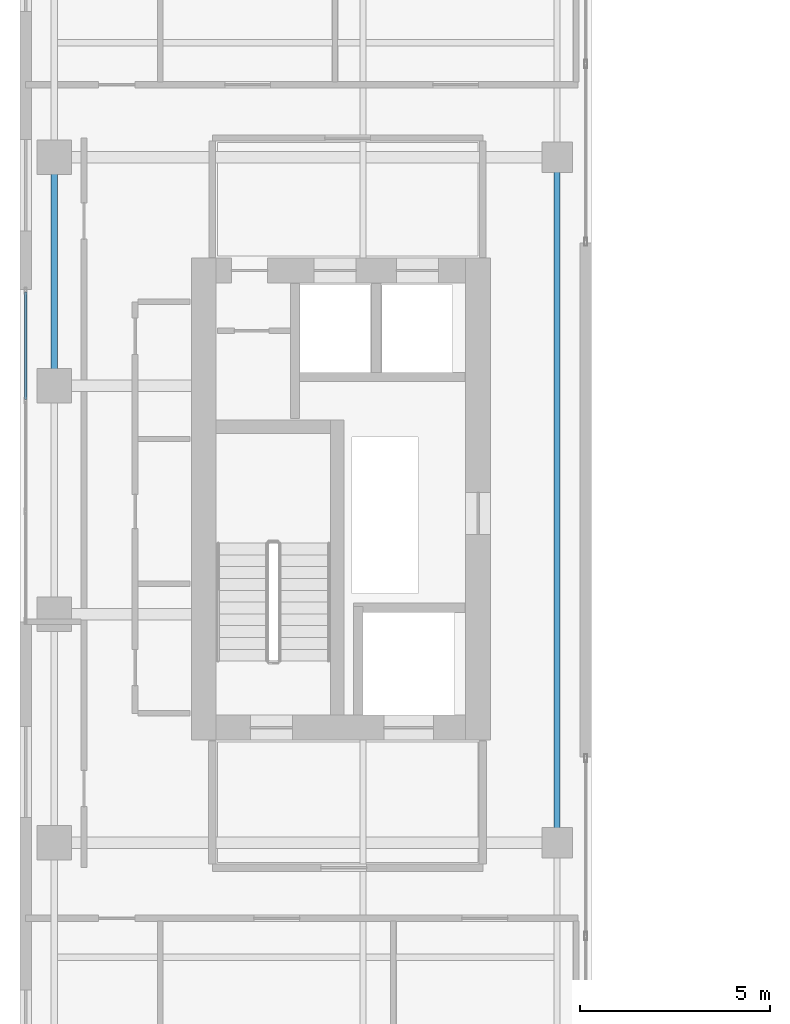
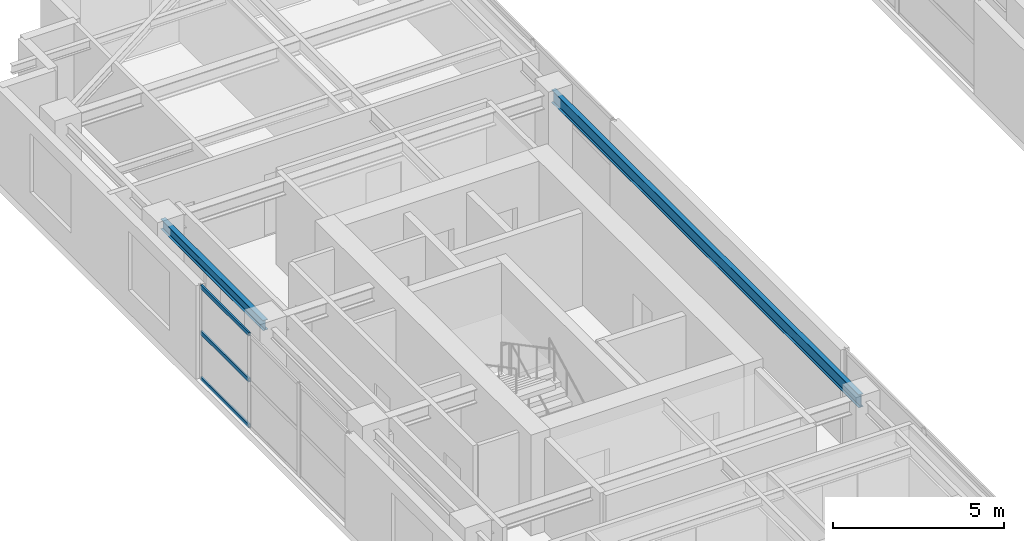
# One storey, part 6 of 21: 3 members, 2 beams, 1 element without a shape of its own.
"""IFC4 building model written with IfcOpenShell, lengths in metres."""

from ifc_helpers import new_model, si_unit, direction, frame, origin, origin_2d, place, context, subcontext, project, spatial, hollow_rectangle, i_section, extrude, source, transform, mapped, material, layer, layer_set, material_profile, profile_set, type_object, element, aggregate, save


model = new_model("IFC4")

# Units and contexts
model_context = context("Model", 3, precision=1e-05, world=origin(), true_north=direction((0.0, 1.0)))
body_context = subcontext(model_context, "Body", "Model", "MODEL_VIEW")
ifc_project = project(units=[si_unit("LENGTHUNIT", "METRE"), si_unit("AREAUNIT", "SQUARE_METRE"), si_unit("VOLUMEUNIT", "CUBIC_METRE"), si_unit("PLANEANGLEUNIT", "RADIAN"), si_unit("MASSUNIT", "GRAM", prefix="KILO")], contexts=[model_context])

# Site, building, storey
site_placement = place(None, origin())
site = spatial("IfcSite", under=ifc_project, at=site_placement, CompositionType="ELEMENT")
building_placement = place(site_placement, origin())
building = spatial("IfcBuilding", under=site, at=building_placement, Name="Khoralis Quay Care Tower", CompositionType="ELEMENT")
storey_placement = place(building_placement, frame((0.0, 0.0, 206.10009765625)))
storey = spatial("IfcBuildingStorey", under=building, at=storey_placement, Name="L54", CompositionType="ELEMENT", Elevation=206.10009765625)

# Beams
ifc_material_1 = material(Name="Steel S355", Category="steel")
ifc_material_profile_1 = material_profile(ifc_material_1, i_section(OverallWidth=0.169921875, OverallDepth=0.360107421875, WebThickness=0.008056640625, FlangeThickness=0.0126953125, FilletRadius=0.01806640625, at=origin_2d()), Name="Steel S355")
ifc_profile_set_1 = profile_set([ifc_material_profile_1], Name="Steel S355")
beam_type_1 = type_object("IfcBeamType", Name="BM-IPE360", PredefinedType="SPANDREL", material=ifc_profile_set_1)
shared_shape_1 = source(origin(), body_context, "Body", "SweptSolid", [
    extrude(i_section(OverallWidth=0.169921875, OverallDepth=0.360107421875, WebThickness=0.008056640625, FlangeThickness=0.0126953125, FilletRadius=0.01806640625, at=origin_2d()), origin(), (0.0, 0.0, 1.0), 6.0),
])
beam_1_placement = place(storey_placement, frame((3.89990234375, 24.0, 3.159912109375), z_axis=(0.0, 1.0, 0.0), x_axis=(-1.0, 0.0, 0.0)))
element("IfcBeam", 1, at=beam_1_placement, inside=storey, type_object=beam_type_1, Name="BM-TSP-L54-08", PredefinedType="SPANDREL", context=body_context, shape_type="MappedRepresentation", body=[
    mapped(shared_shape_1, transform((0.0, 0.0, 0.0), scale=1.0)),
])
ifc_material_profile_2 = material_profile(ifc_material_1, i_section(OverallWidth=0.154052734375, OverallDepth=0.458984375, WebThickness=0.009033203125, FlangeThickness=0.015380859375, FilletRadius=0.014892578125, at=origin_2d()), Name="Steel S355")
ifc_profile_set_2 = profile_set([ifc_material_profile_2], Name="Steel S355")
beam_type_2 = type_object("IfcBeamType", Name="BM-W460X68", PredefinedType="BEAM", material=ifc_profile_set_2)
shared_shape_2 = source(origin(), body_context, "Body", "SweptSolid", [
    extrude(i_section(OverallWidth=0.154052734375, OverallDepth=0.458984375, WebThickness=0.009033203125, FlangeThickness=0.015380859375, FilletRadius=0.014892578125, at=origin_2d()), origin(), (0.0, 0.0, 1.0), 18.0),
])
beam_2_placement = place(storey_placement, frame((17.10009765625, 12.0, 3.1103515625), z_axis=(0.0, 1.0, 0.0), x_axis=(-1.0, 0.0, 0.0)))
element("IfcBeam", 2, at=beam_2_placement, inside=storey, type_object=beam_type_2, Name="BM-TGSW-L54", PredefinedType="BEAM", context=body_context, shape_type="MappedRepresentation", body=[
    mapped(shared_shape_2, transform((0.0, 0.0, 0.0), scale=1.0)),
])

# Curtain wall, members
ifc_material_2 = material(Name="Pale anodised aluminium", Category="aluminium")
ifc_layer = layer(ifc_material_2, 0.159912109375)
ifc_layer_set = layer_set([ifc_layer], Name="Pale anodised aluminium")
curtain_wall_type = type_object("IfcCurtainWallType", Name="CW-SYS-Z3", PredefinedType="NOTDEFINED", material=ifc_layer_set)
curtain_wall_placement = place(storey_placement, origin())
curtain_wall = element("IfcCurtainWall", 3, at=curtain_wall_placement, inside=storey, type_object=curtain_wall_type, Name="L54 Unitised Curtain Wall CW-L54-P1-E7", PredefinedType="NOTDEFINED")
ifc_material_profile_3 = material_profile(ifc_material_2, hollow_rectangle(XDim=0.06005859375, YDim=0.139892578125, WallThickness=0.00390625, at=origin_2d()), Name="Pale anodised aluminium")
ifc_profile_set_3 = profile_set([ifc_material_profile_3], Name="Pale anodised aluminium")
member_type = type_object("IfcMemberType", Name="CW-TRN-140", PredefinedType="USERDEFINED", material=ifc_profile_set_3)
shared_shape_3 = source(origin(), body_context, "Body", "SweptSolid", [
    extrude(hollow_rectangle(XDim=0.06005859375, YDim=0.139892578125, WallThickness=0.00390625, at=origin_2d()), origin(), (0.0, 0.0, 1.0), 2.816650390625),
])
member_1_placement = place(storey_placement, frame((3.14990234375, 26.4599609375, 0.02978515625), z_axis=(0.0, -1.0, 0.0), x_axis=(1.0, 0.0, 0.0)))
member_1 = element("IfcMember", 4, at=member_1_placement, type_object=member_type, Name="CW3 transom 1.1", ObjectType="TRANSOM", PredefinedType="USERDEFINED", context=body_context, shape_type="MappedRepresentation", body=[
    mapped(shared_shape_3, transform((0.0, 0.0, 0.0), scale=1.0)),
])
member_2_placement = place(storey_placement, frame((3.14990234375, 26.4599609375, 1.669921875), z_axis=(0.0, -1.0, 0.0), x_axis=(1.0, 0.0, 0.0)))
member_2 = element("IfcMember", 5, at=member_2_placement, type_object=member_type, Name="CW3 transom 1.2", ObjectType="TRANSOM", PredefinedType="USERDEFINED", context=body_context, shape_type="MappedRepresentation", body=[
    mapped(shared_shape_3, transform((0.0, 0.0, 0.0), scale=1.0)),
])
member_3_placement = place(storey_placement, frame((3.14990234375, 26.4599609375, 3.309814453125), z_axis=(0.0, -1.0, 0.0), x_axis=(1.0, 0.0, 0.0)))
member_3 = element("IfcMember", 6, at=member_3_placement, type_object=member_type, Name="CW3 transom 1.3", ObjectType="TRANSOM", PredefinedType="USERDEFINED", context=body_context, shape_type="MappedRepresentation", body=[
    mapped(shared_shape_3, transform((0.0, 0.0, 0.0), scale=1.0)),
])
aggregate(curtain_wall, [member_1, member_2, member_3])

save(model, "model.ifc")
